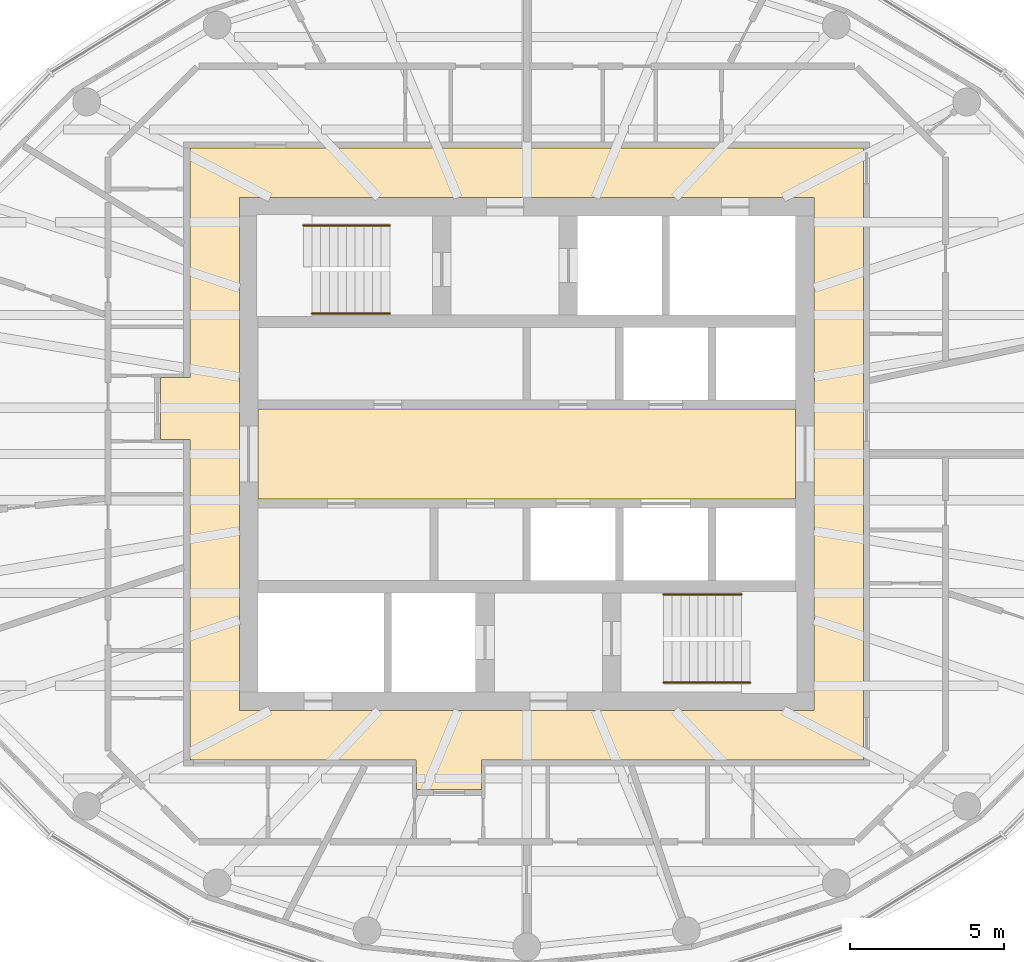
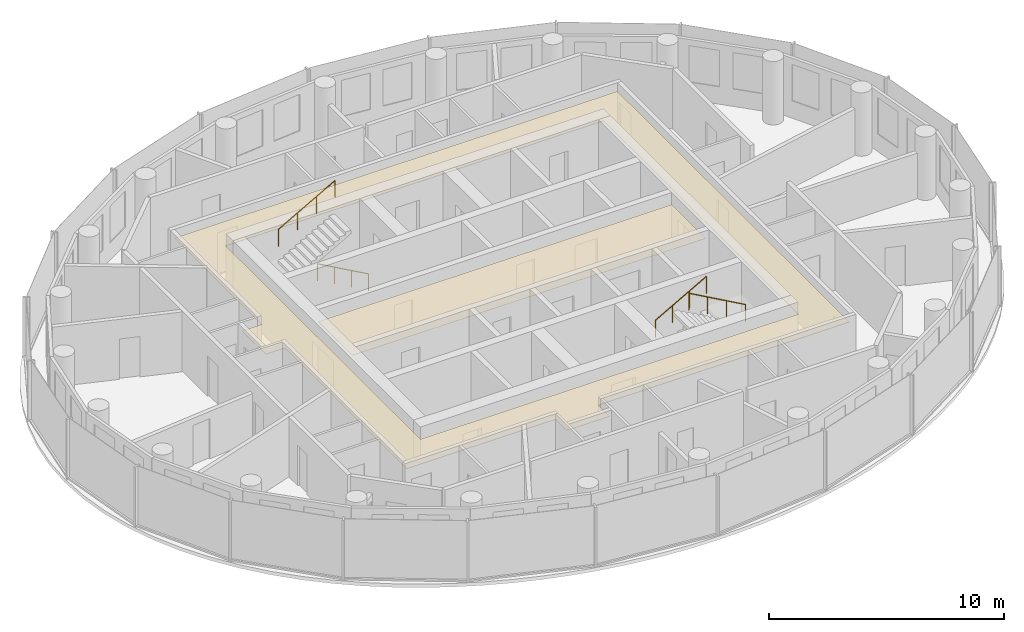
# One storey, part 11 of 11: 4 railings, 2 coverings.
"""IFC4 building model written with IfcOpenShell, lengths in metres."""

import ifcopenshell
import ifcopenshell.guid

model = None  # the IFC model being written
_history = None  # IfcOwnerHistory: only IFC2X3 demands one
_inside = {}  # id of a spatial element -> (the spatial element, [elements in it])
_under = {}  # id of a project, library or spatial element -> (it, [spatial elements below it])
_declared = {}  # id of a project -> (the project, [libraries it declares])
_typed = {}  # id of a type object -> (the type object, [elements of that type])
_made_of = {}  # id of a material, layer set ... -> (it, [elements and type objects made of it])


def new_model(schema):
    """Start an empty IFC model of exactly this schema.

    Asked for "IFC4X3", IfcOpenShell would pick the latest addendum, in which some entities
    have other attributes; the version numbers below select the first issue.
    IFC2X3 requires an IfcOwnerHistory on every rooted entity: one is made here for all.
    """
    global model, _history
    if schema == "IFC4X3":
        model = ifcopenshell.file(schema_version=(4, 3, 0, 0))
    else:
        model = ifcopenshell.file(schema=schema)
    _inside.clear()
    _under.clear()
    _declared.clear()
    _typed.clear()
    _made_of.clear()
    _history = None
    if model.schema == "IFC2X3":
        org = make("IfcOrganization", Name="unknown")
        user = make(
            "IfcPersonAndOrganization",
            ThePerson=make("IfcPerson", FamilyName="unknown"),
            TheOrganization=org,
        )
        app = make(
            "IfcApplication",
            ApplicationDeveloper=org,
            Version="unknown",
            ApplicationFullName="unknown",
            ApplicationIdentifier="unknown",
        )
        _history = make(
            "IfcOwnerHistory",
            OwningUser=user,
            OwningApplication=app,
            ChangeAction="ADDED",
            CreationDate=0,
        )
    return model


def make(cls, **values):
    """One entity of the class cls with the attributes given. An attribute that is None is left unset."""
    return model.create_entity(
        cls, **{name: value for name, value in values.items() if value is not None}
    )


def rooted(cls, **values):
    """An entity with a GlobalId (a new one), such as an element, a storey or a relation."""
    return make(cls, GlobalId=ifcopenshell.guid.new(), OwnerHistory=_history, **values)


def si_unit(unit_type, name, prefix=None):
    """IfcSIUnit, for example si_unit("LENGTHUNIT", "METRE", prefix="MILLI")."""
    return make("IfcSIUnit", UnitType=unit_type, Prefix=prefix, Name=name)


def assignment(units):
    """IfcUnitAssignment: the units of a project."""
    return None if units is None else make("IfcUnitAssignment", Units=units)


def point(xyz):
    """IfcCartesianPoint."""
    return None if xyz is None else make("IfcCartesianPoint", Coordinates=xyz)


def direction(xyz):
    """IfcDirection."""
    return None if xyz is None else make("IfcDirection", DirectionRatios=xyz)


def frame(location, z_axis=None, x_axis=None):
    """IfcAxis2Placement3D, a coordinate frame: its origin and axes. An axis left out is left unset."""
    return make(
        "IfcAxis2Placement3D",
        Location=point(location),
        Axis=direction(z_axis),
        RefDirection=direction(x_axis),
    )


def frame_2d(location, x_axis=None):
    """IfcAxis2Placement2D, a coordinate frame in the plane: its origin and x axis."""
    return make(
        "IfcAxis2Placement2D", Location=point(location), RefDirection=direction(x_axis)
    )


def origin():
    """The frame at (0, 0, 0) with its axes left unset."""
    return frame((0.0, 0.0, 0.0))


def origin_2d():
    """The frame at (0, 0) in the plane with its x axis left unset."""
    return frame_2d((0.0, 0.0))


def place(relative_to, where):
    """IfcLocalPlacement: puts the frame where relative to a parent placement (None: the world)."""
    return make(
        "IfcLocalPlacement", PlacementRelTo=relative_to, RelativePlacement=where
    )


def context(
    kind, dimensions, precision=None, world=None, true_north=None, identifier=None
):
    """IfcGeometricRepresentationContext, for example the 3D "Model" context."""
    return make(
        "IfcGeometricRepresentationContext",
        ContextIdentifier=identifier,
        ContextType=kind,
        CoordinateSpaceDimension=dimensions,
        Precision=precision,
        WorldCoordinateSystem=world,
        TrueNorth=true_north,
    )


def subcontext(parent, identifier, kind, view, scale=None):
    """IfcGeometricRepresentationSubContext, for example "Body" below "Model"."""
    return make(
        "IfcGeometricRepresentationSubContext",
        ContextIdentifier=identifier,
        ContextType=kind,
        ParentContext=parent,
        TargetScale=scale,
        TargetView=view,
    )


def project(units=None, contexts=None):
    """IfcProject with its units and contexts."""
    return rooted(
        "IfcProject",
        Name="project",
        RepresentationContexts=contexts,
        UnitsInContext=assignment(units),
    )


def spatial(cls, under=None, at=None, **own):
    """A site, building, storey or space (cls), placed at a placement, below another one or the project."""
    s = rooted(cls, ObjectPlacement=at, **own)
    if under is not None:
        _under.setdefault(under.id(), (under, []))[1].append(s)
    return s


def polyline(points):
    """IfcPolyline through the points."""
    return make("IfcPolyline", Points=[point(p) for p in points])


def profile(cls, at=None, kind="AREA", **sizes):
    """A parametric profile (cls). Its sizes go by their IFC names, for example OverallWidth=200.0."""
    return make(cls, ProfileType=kind, Position=at, **sizes)


def circle(**sizes):
    """IfcCircleProfileDef."""
    return profile("IfcCircleProfileDef", **sizes)


def outline(outer, holes=None, kind="AREA"):
    """IfcArbitraryClosedProfileDef: a profile drawn as a closed curve; with holes, ...WithVoids."""
    if holes is None:
        return make("IfcArbitraryClosedProfileDef", ProfileType=kind, OuterCurve=outer)
    return make(
        "IfcArbitraryProfileDefWithVoids",
        ProfileType=kind,
        OuterCurve=outer,
        InnerCurves=holes,
    )


def extrude(swept, where, along, depth):
    """IfcExtrudedAreaSolid: the profile swept, set in the frame where, extruded along a direction by depth."""
    return make(
        "IfcExtrudedAreaSolid",
        SweptArea=swept,
        Position=where,
        ExtrudedDirection=direction(along),
        Depth=depth,
    )


def shape(context_of_items, identifier, shape_type, items):
    """IfcShapeRepresentation: the items that make up one representation, for example the "Body"."""
    return make(
        "IfcShapeRepresentation",
        ContextOfItems=context_of_items,
        RepresentationIdentifier=identifier,
        RepresentationType=shape_type,
        Items=items,
    )


def material(Name=None, Category=None):
    """IfcMaterial."""
    return make("IfcMaterial", Name=Name, Category=Category)


def layer(
    of_material, thickness, ventilated=None, Name=None, Category=None, Priority=None
):
    """IfcMaterialLayer: one layer of a wall or slab, of a material (None: an air gap)."""
    return make(
        "IfcMaterialLayer",
        Material=of_material,
        LayerThickness=thickness,
        IsVentilated=ventilated,
        Name=Name,
        Category=Category,
        Priority=Priority,
    )


def layer_set(layers, Name=None):
    """IfcMaterialLayerSet."""
    return make("IfcMaterialLayerSet", MaterialLayers=layers, LayerSetName=Name)


def made_of(thing, what):
    """Note that an element or type object is made of a material, layer set ...; save() writes the relation."""
    if what is not None:
        _made_of.setdefault(what.id(), (what, []))[1].append(thing)
    return thing


def type_object(cls, material=None, **own):
    """A type object (cls), such as IfcWallType, which elements share."""
    return made_of(rooted(cls, **own), material)


def element(
    cls,
    number,
    at=None,
    inside=None,
    cuts=None,
    type_object=None,
    material=None,
    context=None,
    identifier="Body",
    shape_type=None,
    held_by="IfcProductDefinitionShape",
    body=None,
    shapes=None,
    **own,
):
    """One element of the class cls, such as IfcWall. Its Tag is "e" and its number.

    at: its placement. inside: the storey or other place that contains it. cuts: it is an
    opening in that element (IfcRelVoidsElement). A single representation is given by context,
    identifier, shape_type and body (its items); several are given by shapes. held_by: the class
    of the entity that holds the representations. save() writes the other relations.
    """
    e = rooted(cls, Tag="e%d" % number, ObjectPlacement=at, **own)
    if body is not None:
        shapes = [shape(context, identifier, shape_type, body)]
    if shapes is not None:
        e.Representation = make(held_by, Representations=shapes)
    if inside is not None:
        _inside.setdefault(inside.id(), (inside, []))[1].append(e)
    if cuts is not None:
        rooted(
            "IfcRelVoidsElement", RelatingBuildingElement=cuts, RelatedOpeningElement=e
        )
    if type_object is not None:
        _typed.setdefault(type_object.id(), (type_object, []))[1].append(e)
    return made_of(e, material)


def aggregate(whole, parts):
    """IfcRelAggregates: a whole, such as a stair, and the parts it consists of."""
    return rooted("IfcRelAggregates", RelatingObject=whole, RelatedObjects=parts)


def save(model, path):
    """Write the relations noted so far, then the file.

    IfcRelAggregates (storeys below a building ...), IfcRelContainedInSpatialStructure (elements
    in a storey), IfcRelDefinesByType, IfcRelAssociatesMaterial and IfcRelDeclares: one each for
    every whole, place, type object, material and project.
    """
    for whole, parts in _under.values():
        aggregate(whole, parts)
    for where, things in _inside.values():
        rooted(
            "IfcRelContainedInSpatialStructure",
            RelatedElements=things,
            RelatingStructure=where,
        )
    for kind, things in _typed.values():
        rooted("IfcRelDefinesByType", RelatedObjects=things, RelatingType=kind)
    for what, things in _made_of.values():
        rooted("IfcRelAssociatesMaterial", RelatedObjects=things, RelatingMaterial=what)
    for by, libraries in _declared.values():
        rooted("IfcRelDeclares", RelatingContext=by, RelatedDefinitions=libraries)
    model.write(path)


model = new_model("IFC4")

# Units and contexts
model_context = context("Model", 3, precision=1e-05, world=origin(), true_north=direction((0.0, 1.0)))
body_context = subcontext(model_context, "Body", "Model", "MODEL_VIEW")
ifc_project = project(units=[si_unit("LENGTHUNIT", "METRE"), si_unit("AREAUNIT", "SQUARE_METRE"), si_unit("VOLUMEUNIT", "CUBIC_METRE"), si_unit("PLANEANGLEUNIT", "RADIAN"), si_unit("MASSUNIT", "GRAM", prefix="KILO")], contexts=[model_context])

# Site, building, storey
site_placement = place(None, origin())
site = spatial("IfcSite", under=ifc_project, at=site_placement, CompositionType="ELEMENT")
building_placement = place(site_placement, origin())
building = spatial("IfcBuilding", under=site, at=building_placement, Name="Hankou Lantern Tower", CompositionType="ELEMENT")
storey_placement = place(building_placement, frame((0.0, 0.0, 196.199951171875)))
storey = spatial("IfcBuildingStorey", under=building, at=storey_placement, Name="L52", CompositionType="ELEMENT", Elevation=196.199951171875)

# Coverings
ifc_material_1 = material(Name="Black painted aluminium linear ceiling panels", Category="aluminium")
ifc_layer_1 = layer(ifc_material_1, 0.02490234375)
ifc_layer_set_1 = layer_set([ifc_layer_1], Name="Black painted aluminium linear ceiling panels")
covering_type_1 = type_object("IfcCoveringType", Name="CL1 CORRIDOR CEILING 25", PredefinedType="CEILING", material=ifc_layer_set_1)
covering_1_placement = place(storey_placement, frame((0.0, 0.0, 2.64501953125)))
element("IfcCovering", 1, at=covering_1_placement, inside=storey, type_object=covering_type_1, Name="Corridor ceiling L52", PredefinedType="CEILING", context=body_context, shape_type="SweptSolid", body=[
    extrude(outline(polyline([(-3.56884765625, -10.85009765625), (-1.468994140625, -10.85009765625), (-1.468994140625, -10.1201171875), (-1.458984375, -10.1201171875), (-1.458984375, -9.89794921875), (10.89794921875, -9.89794921875), (10.89794921875, 9.89794921875), (-10.89794921875, 9.89794921875), (-10.89794921875, 2.484375), (-11.1201171875, 2.484375), (-11.1201171875, 2.474365234375), (-11.85009765625, 2.474365234375), (-11.85009765625, 0.474365234375), (-11.1201171875, 0.474365234375), (-11.1201171875, 0.46435546875), (-10.89794921875, 0.46435546875), (-10.89794921875, -9.89794921875), (-3.578857421875, -9.89794921875), (-3.578857421875, -10.1201171875), (-3.56884765625, -10.1201171875), (-3.56884765625, -10.85009765625)]), holes=[polyline([(-9.300048828125, 8.300048828125), (9.300048828125, 8.300048828125), (9.300048828125, -8.300048828125), (-9.300048828125, -8.300048828125), (-9.300048828125, 8.300048828125)])]), origin(), (0.0, 0.0, 1.0), 0.025146484375),
])
ifc_material_2 = material(Name="Perforated black aluminium acoustic tray ceiling", Category="aluminium")
ifc_layer_2 = layer(ifc_material_2, 0.014892578125)
ifc_layer_set_2 = layer_set([ifc_layer_2], Name="Perforated black aluminium acoustic tray ceiling")
covering_type_2 = type_object("IfcCoveringType", Name="CL2 LIFT LOBBY CEILING 15", PredefinedType="CEILING", material=ifc_layer_set_2)
covering_2_placement = place(storey_placement, frame((0.0, 0.0, 2.655029296875)))
element("IfcCovering", 2, at=covering_2_placement, inside=storey, type_object=covering_type_2, Name="Lift lobby ceiling L52", PredefinedType="CEILING", context=body_context, shape_type="SweptSolid", body=[
    extrude(outline(polyline([(-8.699951171875, -1.449951171875), (8.699951171875, -1.449951171875), (8.699951171875, 1.449951171875), (-8.699951171875, 1.449951171875), (-8.699951171875, -1.449951171875)])), origin(), (0.0, 0.0, 1.0), 0.01513671875),
])

# Railings
ifc_material_3 = material(Name="Steel handrail", Category="steel")
railing_type = type_object("IfcRailingType", Name="HR1 STAIR HANDRAIL", PredefinedType="HANDRAIL", material=ifc_material_3)
railing_1_placement = place(storey_placement, frame((-4.429931640625, 4.550048828125, 0.900146484375)))
element("IfcRailing", 3, at=railing_1_placement, inside=storey, type_object=railing_type, Name="Handrail stair STA L52 flight 1", PredefinedType="HANDRAIL", context=body_context, shape_type="SweptSolid", body=[
    extrude(circle(Radius=0.02392578125, at=origin_2d()), frame((0.0, 0.0, 0.8759765625), z_axis=(-0.872048945198, 0.0, 0.489418672692), x_axis=(0.0, -1.0, 0.0)), (0.0, 0.0, 1.0), 2.8896484375),
    extrude(circle(Radius=0.02099609375, at=origin_2d()), origin(), (0.0, 0.0, 1.0), 0.851806640625),
    extrude(circle(Radius=0.02099609375, at=origin_2d()), frame((-0.840087890625, 0.0, 0.471435546875)), (0.0, 0.0, 1.0), 0.851806640625),
    extrude(circle(Radius=0.02099609375, at=origin_2d()), frame((-1.679931640625, 0.0, 0.94287109375)), (0.0, 0.0, 1.0), 0.851806640625),
    extrude(circle(Radius=0.02099609375, at=origin_2d()), frame((-2.52001953125, 0.0, 1.414306640625)), (0.0, 0.0, 1.0), 0.851806640625),
])
railing_2_placement = place(storey_placement, frame((-7.22998046875, 7.39990234375, 2.471435546875)))
element("IfcRailing", 4, at=railing_2_placement, inside=storey, type_object=railing_type, Name="Handrail stair STA L52 flight 2", PredefinedType="HANDRAIL", context=body_context, shape_type="SweptSolid", body=[
    extrude(circle(Radius=0.02392578125, at=origin_2d()), frame((0.0, 0.0, 0.8759765625), z_axis=(0.872040151574, 0.0, 0.489434340891), x_axis=(0.0, 1.0, 0.0)), (0.0, 0.0, 1.0), 3.2109375),
    extrude(circle(Radius=0.02099609375, at=origin_2d()), origin(), (0.0, 0.0, 1.0), 0.851806640625),
    extrude(circle(Radius=0.02099609375, at=origin_2d()), frame((0.933349609375, 0.0, 0.52392578125)), (0.0, 0.0, 1.0), 0.851806640625),
    extrude(circle(Radius=0.02099609375, at=origin_2d()), frame((1.86669921875, 0.0, 1.047607421875)), (0.0, 0.0, 1.0), 0.851806640625),
    extrude(circle(Radius=0.02099609375, at=origin_2d()), frame((2.800048828125, 0.0, 1.571533203125)), (0.0, 0.0, 1.0), 0.851806640625),
])
railing_3_placement = place(storey_placement, frame((4.429931640625, -4.550048828125, 0.900146484375)))
element("IfcRailing", 5, at=railing_3_placement, inside=storey, type_object=railing_type, Name="Handrail stair STB L52 flight 1", PredefinedType="HANDRAIL", context=body_context, shape_type="SweptSolid", body=[
    extrude(circle(Radius=0.02392578125, at=origin_2d()), frame((0.0, 0.0, 0.8759765625), z_axis=(0.872048945198, 0.0, 0.489418672692), x_axis=(0.0, 1.0, 0.0)), (0.0, 0.0, 1.0), 2.8896484375),
    extrude(circle(Radius=0.02099609375, at=origin_2d()), origin(), (0.0, 0.0, 1.0), 0.851806640625),
    extrude(circle(Radius=0.02099609375, at=origin_2d()), frame((0.840087890625, 0.0, 0.471435546875)), (0.0, 0.0, 1.0), 0.851806640625),
    extrude(circle(Radius=0.02099609375, at=origin_2d()), frame((1.679931640625, 0.0, 0.94287109375)), (0.0, 0.0, 1.0), 0.851806640625),
    extrude(circle(Radius=0.02099609375, at=origin_2d()), frame((2.52001953125, 0.0, 1.414306640625)), (0.0, 0.0, 1.0), 0.851806640625),
])
railing_4_placement = place(storey_placement, frame((7.22998046875, -7.39990234375, 2.471435546875)))
element("IfcRailing", 6, at=railing_4_placement, inside=storey, type_object=railing_type, Name="Handrail stair STB L52 flight 2", PredefinedType="HANDRAIL", context=body_context, shape_type="SweptSolid", body=[
    extrude(circle(Radius=0.02392578125, at=origin_2d()), frame((0.0, 0.0, 0.8759765625), z_axis=(-0.872040151574, 0.0, 0.489434340891), x_axis=(0.0, -1.0, 0.0)), (0.0, 0.0, 1.0), 3.2109375),
    extrude(circle(Radius=0.02099609375, at=origin_2d()), origin(), (0.0, 0.0, 1.0), 0.851806640625),
    extrude(circle(Radius=0.02099609375, at=origin_2d()), frame((-0.933349609375, 0.0, 0.52392578125)), (0.0, 0.0, 1.0), 0.851806640625),
    extrude(circle(Radius=0.02099609375, at=origin_2d()), frame((-1.86669921875, 0.0, 1.047607421875)), (0.0, 0.0, 1.0), 0.851806640625),
    extrude(circle(Radius=0.02099609375, at=origin_2d()), frame((-2.800048828125, 0.0, 1.571533203125)), (0.0, 0.0, 1.0), 0.851806640625),
])

save(model, "model.ifc")
